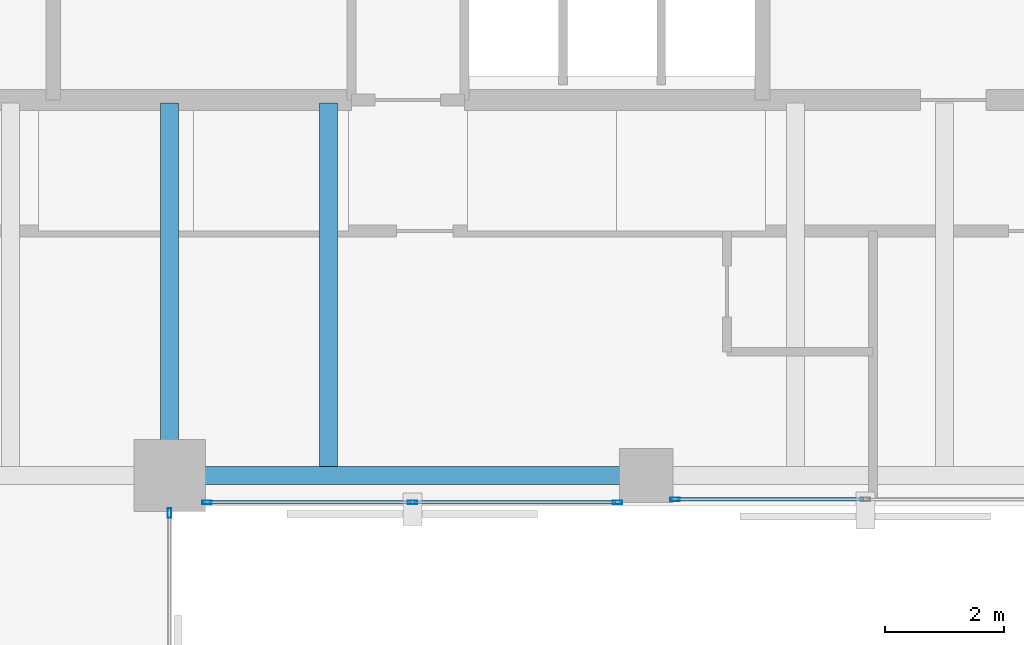
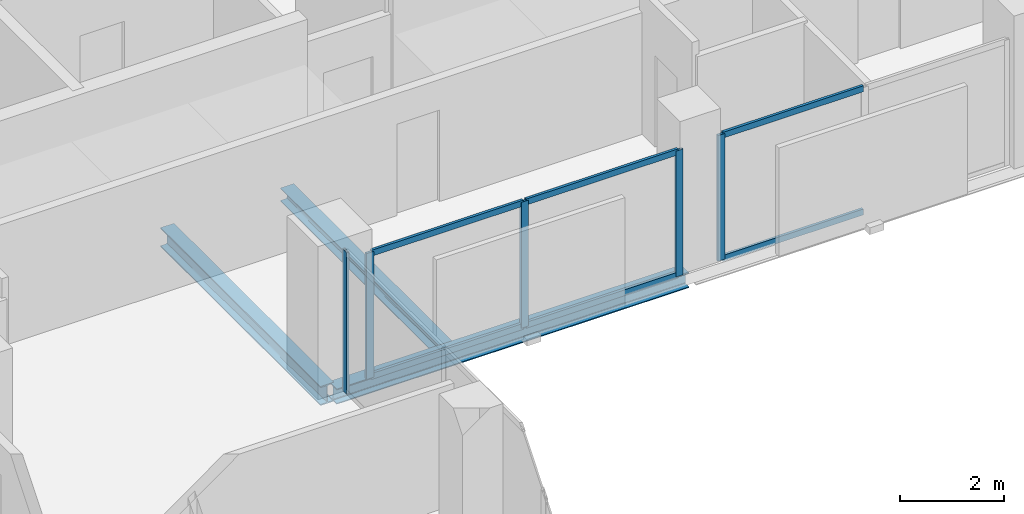
# One storey, part 13 of 33: 11 members, 3 beams, 3 elements without a shape of their own.
"""IFC4 building model written with IfcOpenShell, lengths in metres."""

from ifc_helpers import new_model, si_unit, direction, frame, origin, origin_2d, place, context, subcontext, project, spatial, hollow_rectangle, i_section, extrude, material, layer, layer_set, material_profile, profile_set, type_object, element, aggregate, save


model = new_model("IFC4")

# Units and contexts
model_context = context("Model", 3, precision=1e-05, world=origin(), true_north=direction((0.0, 1.0)))
body_context = subcontext(model_context, "Body", "Model", "MODEL_VIEW")
ifc_project = project(units=[si_unit("LENGTHUNIT", "METRE"), si_unit("AREAUNIT", "SQUARE_METRE"), si_unit("VOLUMEUNIT", "CUBIC_METRE"), si_unit("PLANEANGLEUNIT", "RADIAN"), si_unit("MASSUNIT", "GRAM", prefix="KILO")], contexts=[model_context])

# Site, building, storey
site_placement = place(None, origin())
site = spatial("IfcSite", under=ifc_project, at=site_placement, CompositionType="ELEMENT")
building_placement = place(site_placement, origin())
building = spatial("IfcBuilding", under=site, at=building_placement, Name="Catumbela Crestline Tower", CompositionType="ELEMENT")
storey_placement = place(building_placement, frame((0.0, 0.0, 104.4)))
storey = spatial("IfcBuildingStorey", under=building, at=storey_placement, Name="L26", CompositionType="ELEMENT", Elevation=104.4)

# Beams
ifc_material_1 = material(Name="Structural steel S355J2", Category="steel")
ifc_material_profile_1 = material_profile(ifc_material_1, i_section(OverallWidth=0.3, OverallDepth=0.45, WebThickness=0.014, FlangeThickness=0.026, FilletRadius=0.027, at=origin_2d()), Name="HEB 450")
ifc_profile_set_1 = profile_set([ifc_material_profile_1], Name="Structural steel S355J2")
beam_type_1 = type_object("IfcBeamType", Name="BG-HEB450", PredefinedType="BEAM", material=ifc_profile_set_1)
beam_1_placement = place(storey_placement, frame((24.0, 24.58, -0.485), z_axis=(0.0, 1.0, 0.0), x_axis=(-1.0, 0.0, 0.0)))
element("IfcBeam", 1, at=beam_1_placement, inside=storey, type_object=beam_type_1, Name="L26 Beam BM-L26-SNS29", PredefinedType="BEAM", context=body_context, shape_type="SweptSolid", body=[
    extrude(i_section(OverallWidth=0.3, OverallDepth=0.45, WebThickness=0.014, FlangeThickness=0.026, FilletRadius=0.027, at=origin_2d()), origin(), (0.0, 0.0, 1.0), 6.17),
])
ifc_material_profile_2 = material_profile(ifc_material_1, i_section(OverallWidth=0.3, OverallDepth=0.31, WebThickness=0.009, FlangeThickness=0.0155, FilletRadius=0.027, at=origin_2d()), Name="HEA 320")
ifc_profile_set_2 = profile_set([ifc_material_profile_2], Name="Structural steel S355J2")
beam_type_2 = type_object("IfcBeamType", Name="BJ-HEA320", PredefinedType="JOIST", material=ifc_profile_set_2)
beam_2_placement = place(storey_placement, frame((26.667, 24.647, -0.415), z_axis=(0.0, 1.0, 0.0), x_axis=(-1.0, 0.0, 0.0)))
element("IfcBeam", 2, at=beam_2_placement, inside=storey, type_object=beam_type_2, Name="L26 Joist JS-L26-SP39", PredefinedType="JOIST", context=body_context, shape_type="SweptSolid", body=[
    extrude(i_section(OverallWidth=0.3, OverallDepth=0.31, WebThickness=0.009, FlangeThickness=0.0155, FilletRadius=0.027, at=origin_2d()), origin(), (0.0, 0.0, 1.0), 6.103),
])

# Curtain wall, member
ifc_material_2 = material(Name="Aluminium alloy AW-6060-T66", Category="aluminium")
ifc_layer = layer(ifc_material_2, 0.18, Name="Aluminium alloy AW-6060-T66")
ifc_layer_set = layer_set([ifc_layer], Name="Aluminium alloy AW-6060-T66")
curtain_wall_type = type_object("IfcCurtainWallType", Name="CWU-Z2", PredefinedType="USERDEFINED", material=ifc_layer_set)
curtain_wall_1_placement = place(storey_placement, origin())
curtain_wall_1 = element("IfcCurtainWall", 3, at=curtain_wall_1_placement, inside=storey, type_object=curtain_wall_type, Name="L26 Unitised Curtain Wall CW-L26-E2S1", ObjectType="UNITISED", PredefinedType="USERDEFINED")
ifc_material_profile_3 = material_profile(ifc_material_2, hollow_rectangle(XDim=0.06, YDim=0.16, WallThickness=0.004, at=origin_2d()), Name="ALU 160x60x4")
ifc_profile_set_3 = profile_set([ifc_material_profile_3], Name="Aluminium alloy AW-6060-T66")
member_type_1 = type_object("IfcMemberType", Name="MUL-160X60", PredefinedType="MULLION", material=ifc_profile_set_3)
member_1_placement = place(storey_placement, frame((24.0, 23.8675, 0.0), z_axis=(0.0, 0.0, 1.0), x_axis=(-1.0, 0.0, 0.0)))
member_1 = element("IfcMember", 4, at=member_1_placement, type_object=member_type_1, Name="CWU-Z2 mullion 5", PredefinedType="MULLION", context=body_context, shape_type="SweptSolid", body=[
    extrude(hollow_rectangle(XDim=0.06, YDim=0.16, WallThickness=0.004, at=origin_2d()), origin(), (0.0, 0.0, 1.0), 3.33),
])
aggregate(curtain_wall_1, [member_1])

# Curtain wall, members
curtain_wall_2_placement = place(storey_placement, origin())
curtain_wall_2 = element("IfcCurtainWall", 5, at=curtain_wall_2_placement, inside=storey, type_object=curtain_wall_type, Name="L26 Unitised Curtain Wall CW-L26-E3S1", ObjectType="UNITISED", PredefinedType="USERDEFINED")
member_2_placement = place(storey_placement, frame((24.6325, 24.05, 0.0), z_axis=(0.0, 0.0, 1.0), x_axis=(0.0, 1.0, 0.0)))
member_2 = element("IfcMember", 6, at=member_2_placement, type_object=member_type_1, Name="CWU-Z2 mullion 1", PredefinedType="MULLION", context=body_context, shape_type="SweptSolid", body=[
    extrude(hollow_rectangle(XDim=0.06, YDim=0.16, WallThickness=0.004, at=origin_2d()), origin(), (0.0, 0.0, 1.0), 2.96),
])
member_3_placement = place(storey_placement, frame((28.075, 24.05, 0.0), z_axis=(0.0, 0.0, 1.0), x_axis=(0.0, 1.0, 0.0)))
member_3 = element("IfcMember", 7, at=member_3_placement, type_object=member_type_1, Name="CWU-Z2 mullion 2", PredefinedType="MULLION", context=body_context, shape_type="SweptSolid", body=[
    extrude(hollow_rectangle(XDim=0.06, YDim=0.16, WallThickness=0.004, at=origin_2d()), origin(), (0.0, 0.0, 1.0), 2.96),
])
member_4_placement = place(storey_placement, frame((31.5175, 24.05, 0.0), z_axis=(0.0, 0.0, 1.0), x_axis=(0.0, 1.0, 0.0)))
member_4 = element("IfcMember", 8, at=member_4_placement, type_object=member_type_1, Name="CWU-Z2 mullion 3", PredefinedType="MULLION", context=body_context, shape_type="SweptSolid", body=[
    extrude(hollow_rectangle(XDim=0.06, YDim=0.16, WallThickness=0.004, at=origin_2d()), origin(), (0.0, 0.0, 1.0), 2.96),
])

# Curtain wall, member
curtain_wall_3_placement = place(storey_placement, origin())
curtain_wall_3 = element("IfcCurtainWall", 9, at=curtain_wall_3_placement, inside=storey, type_object=curtain_wall_type, Name="L26 Unitised Curtain Wall CW-L26-E3S2", ObjectType="UNITISED", PredefinedType="USERDEFINED")
member_5_placement = place(storey_placement, frame((32.4825, 24.1, 0.0), z_axis=(0.0, 0.0, 1.0), x_axis=(0.0, 1.0, 0.0)))
member_5 = element("IfcMember", 10, at=member_5_placement, type_object=member_type_1, Name="CWU-Z2 mullion 1", PredefinedType="MULLION", context=body_context, shape_type="SweptSolid", body=[
    extrude(hollow_rectangle(XDim=0.06, YDim=0.16, WallThickness=0.004, at=origin_2d()), origin(), (0.0, 0.0, 1.0), 2.96),
])

# Beam
ifc_material_profile_4 = material_profile(ifc_material_1, i_section(OverallWidth=0.3, OverallDepth=0.36, WebThickness=0.0125, FlangeThickness=0.0225, FilletRadius=0.027, at=origin_2d()), Name="HEB 360")
ifc_profile_set_4 = profile_set([ifc_material_profile_4], Name="Structural steel S355J2")
beam_type_3 = type_object("IfcBeamType", Name="BS-HEB360", PredefinedType="SPANDREL", material=ifc_profile_set_4)
beam_3_placement = place(storey_placement, frame((24.08, 24.5, -0.44), z_axis=(1.0, 0.0, 0.0), x_axis=(0.0, 1.0, 0.0)))
element("IfcBeam", 11, at=beam_3_placement, inside=storey, type_object=beam_type_3, Name="L26 Spandrel SP-L26-S05", PredefinedType="SPANDREL", context=body_context, shape_type="SweptSolid", body=[
    extrude(i_section(OverallWidth=0.3, OverallDepth=0.36, WebThickness=0.0125, FlangeThickness=0.0225, FilletRadius=0.027, at=origin_2d()), origin(), (0.0, 0.0, 1.0), 7.84),
])

# Member
ifc_material_profile_5 = material_profile(ifc_material_2, hollow_rectangle(XDim=0.06, YDim=0.14, WallThickness=0.004, at=origin_2d()), Name="ALU 140x60x4")
ifc_profile_set_5 = profile_set([ifc_material_profile_5], Name="Aluminium alloy AW-6060-T66")
member_type_2 = type_object("IfcMemberType", Name="TRN-140X60", PredefinedType="USERDEFINED", material=ifc_profile_set_5)
member_6_placement = place(storey_placement, frame((24.665, 24.05, 0.03), z_axis=(1.0, 0.0, 0.0), x_axis=(0.0, 1.0, 0.0)))
member_6 = element("IfcMember", 12, at=member_6_placement, type_object=member_type_2, Name="CWU-Z2 transom 1.1", ObjectType="TRANSOM", PredefinedType="USERDEFINED", context=body_context, shape_type="SweptSolid", body=[
    extrude(hollow_rectangle(XDim=0.06, YDim=0.14, WallThickness=0.004, at=origin_2d()), origin(), (0.0, 0.0, 1.0), 3.3775),
])

member_7_placement = place(storey_placement, frame((24.665, 24.05, 2.93), z_axis=(1.0, 0.0, 0.0), x_axis=(0.0, 1.0, 0.0)))
member_7 = element("IfcMember", 13, at=member_7_placement, type_object=member_type_2, Name="CWU-Z2 transom 1.2", ObjectType="TRANSOM", PredefinedType="USERDEFINED", context=body_context, shape_type="SweptSolid", body=[
    extrude(hollow_rectangle(XDim=0.06, YDim=0.14, WallThickness=0.004, at=origin_2d()), origin(), (0.0, 0.0, 1.0), 3.3775),
])

member_8_placement = place(storey_placement, frame((28.1075, 24.05, 0.03), z_axis=(1.0, 0.0, 0.0), x_axis=(0.0, 1.0, 0.0)))
member_8 = element("IfcMember", 14, at=member_8_placement, type_object=member_type_2, Name="CWU-Z2 transom 2.1", ObjectType="TRANSOM", PredefinedType="USERDEFINED", context=body_context, shape_type="SweptSolid", body=[
    extrude(hollow_rectangle(XDim=0.06, YDim=0.14, WallThickness=0.004, at=origin_2d()), origin(), (0.0, 0.0, 1.0), 3.3775),
])

member_9_placement = place(storey_placement, frame((28.1075, 24.05, 2.93), z_axis=(1.0, 0.0, 0.0), x_axis=(0.0, 1.0, 0.0)))
member_9 = element("IfcMember", 15, at=member_9_placement, type_object=member_type_2, Name="CWU-Z2 transom 2.2", ObjectType="TRANSOM", PredefinedType="USERDEFINED", context=body_context, shape_type="SweptSolid", body=[
    extrude(hollow_rectangle(XDim=0.06, YDim=0.14, WallThickness=0.004, at=origin_2d()), origin(), (0.0, 0.0, 1.0), 3.3775),
])

aggregate(curtain_wall_2, [member_2, member_3, member_4, member_6, member_7, member_8, member_9])

member_10_placement = place(storey_placement, frame((32.515, 24.1, 0.03), z_axis=(1.0, 0.0, 0.0), x_axis=(0.0, 1.0, 0.0)))
member_10 = element("IfcMember", 16, at=member_10_placement, type_object=member_type_2, Name="CWU-Z2 transom 1.1", ObjectType="TRANSOM", PredefinedType="USERDEFINED", context=body_context, shape_type="SweptSolid", body=[
    extrude(hollow_rectangle(XDim=0.06, YDim=0.14, WallThickness=0.004, at=origin_2d()), origin(), (0.0, 0.0, 1.0), 3.1275),
])

member_11_placement = place(storey_placement, frame((32.515, 24.1, 2.93), z_axis=(1.0, 0.0, 0.0), x_axis=(0.0, 1.0, 0.0)))
member_11 = element("IfcMember", 17, at=member_11_placement, type_object=member_type_2, Name="CWU-Z2 transom 1.2", ObjectType="TRANSOM", PredefinedType="USERDEFINED", context=body_context, shape_type="SweptSolid", body=[
    extrude(hollow_rectangle(XDim=0.06, YDim=0.14, WallThickness=0.004, at=origin_2d()), origin(), (0.0, 0.0, 1.0), 3.1275),
])

aggregate(curtain_wall_3, [member_5, member_10, member_11])

save(model, "model.ifc")
